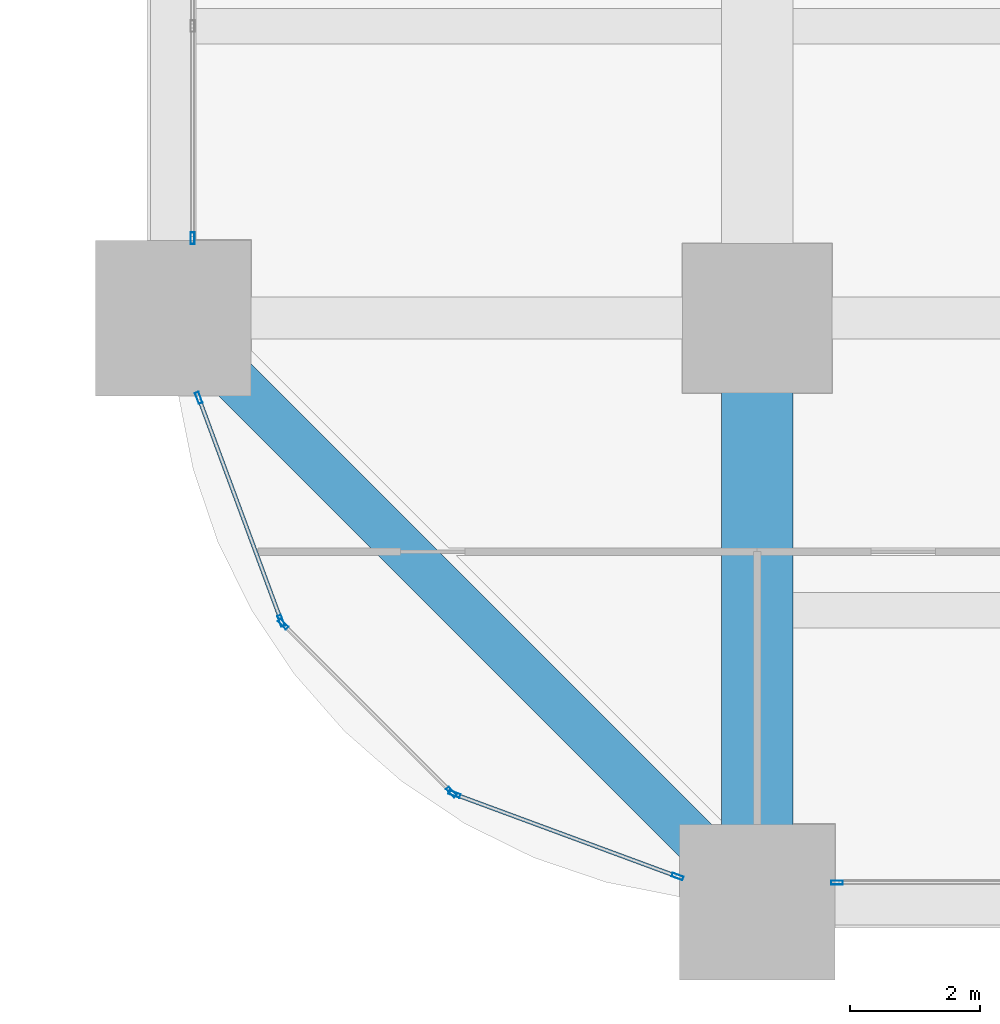
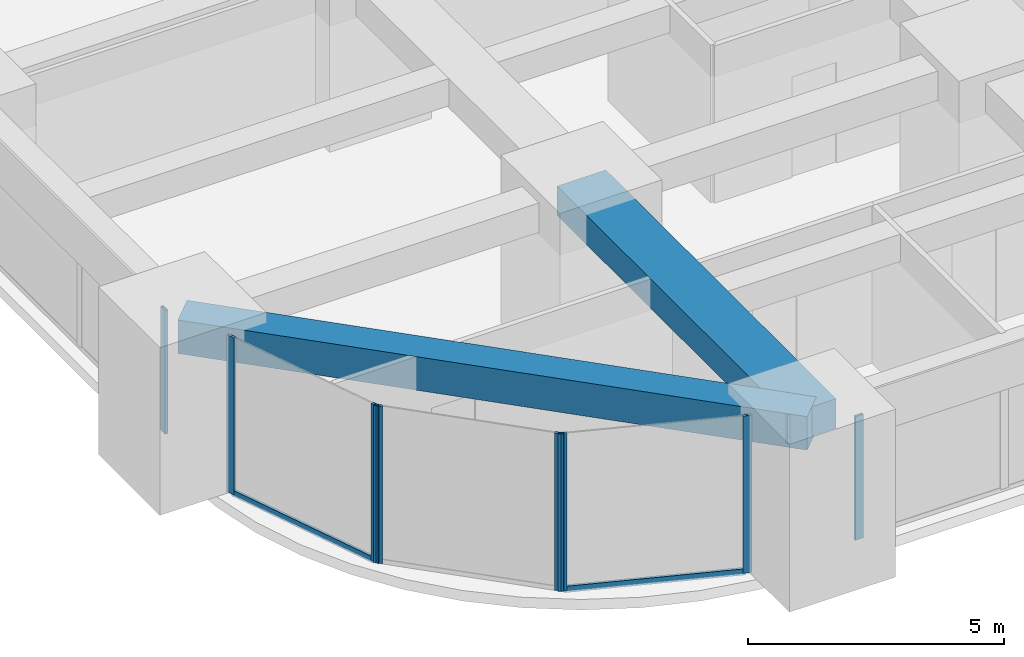
# One storey, part 2 of 39: 10 members, 2 beams, 5 elements without a shape of their own.
"""IFC4 building model written with IfcOpenShell, lengths in metres."""

import ifcopenshell
import ifcopenshell.guid

model = None  # the IFC model being written
_history = None  # IfcOwnerHistory: only IFC2X3 demands one
_inside = {}  # id of a spatial element -> (the spatial element, [elements in it])
_under = {}  # id of a project, library or spatial element -> (it, [spatial elements below it])
_declared = {}  # id of a project -> (the project, [libraries it declares])
_typed = {}  # id of a type object -> (the type object, [elements of that type])
_made_of = {}  # id of a material, layer set ... -> (it, [elements and type objects made of it])


def new_model(schema):
    """Start an empty IFC model of exactly this schema.

    Asked for "IFC4X3", IfcOpenShell would pick the latest addendum, in which some entities
    have other attributes; the version numbers below select the first issue.
    IFC2X3 requires an IfcOwnerHistory on every rooted entity: one is made here for all.
    """
    global model, _history
    if schema == "IFC4X3":
        model = ifcopenshell.file(schema_version=(4, 3, 0, 0))
    else:
        model = ifcopenshell.file(schema=schema)
    _inside.clear()
    _under.clear()
    _declared.clear()
    _typed.clear()
    _made_of.clear()
    _history = None
    if model.schema == "IFC2X3":
        org = make("IfcOrganization", Name="unknown")
        user = make(
            "IfcPersonAndOrganization",
            ThePerson=make("IfcPerson", FamilyName="unknown"),
            TheOrganization=org,
        )
        app = make(
            "IfcApplication",
            ApplicationDeveloper=org,
            Version="unknown",
            ApplicationFullName="unknown",
            ApplicationIdentifier="unknown",
        )
        _history = make(
            "IfcOwnerHistory",
            OwningUser=user,
            OwningApplication=app,
            ChangeAction="ADDED",
            CreationDate=0,
        )
    return model


def make(cls, **values):
    """One entity of the class cls with the attributes given. An attribute that is None is left unset."""
    return model.create_entity(
        cls, **{name: value for name, value in values.items() if value is not None}
    )


def rooted(cls, **values):
    """An entity with a GlobalId (a new one), such as an element, a storey or a relation."""
    return make(cls, GlobalId=ifcopenshell.guid.new(), OwnerHistory=_history, **values)


def si_unit(unit_type, name, prefix=None):
    """IfcSIUnit, for example si_unit("LENGTHUNIT", "METRE", prefix="MILLI")."""
    return make("IfcSIUnit", UnitType=unit_type, Prefix=prefix, Name=name)


def assignment(units):
    """IfcUnitAssignment: the units of a project."""
    return None if units is None else make("IfcUnitAssignment", Units=units)


def point(xyz):
    """IfcCartesianPoint."""
    return None if xyz is None else make("IfcCartesianPoint", Coordinates=xyz)


def direction(xyz):
    """IfcDirection."""
    return None if xyz is None else make("IfcDirection", DirectionRatios=xyz)


def frame(location, z_axis=None, x_axis=None):
    """IfcAxis2Placement3D, a coordinate frame: its origin and axes. An axis left out is left unset."""
    return make(
        "IfcAxis2Placement3D",
        Location=point(location),
        Axis=direction(z_axis),
        RefDirection=direction(x_axis),
    )


def frame_2d(location, x_axis=None):
    """IfcAxis2Placement2D, a coordinate frame in the plane: its origin and x axis."""
    return make(
        "IfcAxis2Placement2D", Location=point(location), RefDirection=direction(x_axis)
    )


def origin():
    """The frame at (0, 0, 0) with its axes left unset."""
    return frame((0.0, 0.0, 0.0))


def origin_2d():
    """The frame at (0, 0) in the plane with its x axis left unset."""
    return frame_2d((0.0, 0.0))


def place(relative_to, where):
    """IfcLocalPlacement: puts the frame where relative to a parent placement (None: the world)."""
    return make(
        "IfcLocalPlacement", PlacementRelTo=relative_to, RelativePlacement=where
    )


def context(
    kind, dimensions, precision=None, world=None, true_north=None, identifier=None
):
    """IfcGeometricRepresentationContext, for example the 3D "Model" context."""
    return make(
        "IfcGeometricRepresentationContext",
        ContextIdentifier=identifier,
        ContextType=kind,
        CoordinateSpaceDimension=dimensions,
        Precision=precision,
        WorldCoordinateSystem=world,
        TrueNorth=true_north,
    )


def subcontext(parent, identifier, kind, view, scale=None):
    """IfcGeometricRepresentationSubContext, for example "Body" below "Model"."""
    return make(
        "IfcGeometricRepresentationSubContext",
        ContextIdentifier=identifier,
        ContextType=kind,
        ParentContext=parent,
        TargetScale=scale,
        TargetView=view,
    )


def project(units=None, contexts=None):
    """IfcProject with its units and contexts."""
    return rooted(
        "IfcProject",
        Name="project",
        RepresentationContexts=contexts,
        UnitsInContext=assignment(units),
    )


def spatial(cls, under=None, at=None, **own):
    """A site, building, storey or space (cls), placed at a placement, below another one or the project."""
    s = rooted(cls, ObjectPlacement=at, **own)
    if under is not None:
        _under.setdefault(under.id(), (under, []))[1].append(s)
    return s


def profile(cls, at=None, kind="AREA", **sizes):
    """A parametric profile (cls). Its sizes go by their IFC names, for example OverallWidth=200.0."""
    return make(cls, ProfileType=kind, Position=at, **sizes)


def rectangle(**sizes):
    """IfcRectangleProfileDef."""
    return profile("IfcRectangleProfileDef", **sizes)


def hollow_rectangle(**sizes):
    """IfcRectangleHollowProfileDef."""
    return profile("IfcRectangleHollowProfileDef", **sizes)


def extrude(swept, where, along, depth):
    """IfcExtrudedAreaSolid: the profile swept, set in the frame where, extruded along a direction by depth."""
    return make(
        "IfcExtrudedAreaSolid",
        SweptArea=swept,
        Position=where,
        ExtrudedDirection=direction(along),
        Depth=depth,
    )


def shape(context_of_items, identifier, shape_type, items):
    """IfcShapeRepresentation: the items that make up one representation, for example the "Body"."""
    return make(
        "IfcShapeRepresentation",
        ContextOfItems=context_of_items,
        RepresentationIdentifier=identifier,
        RepresentationType=shape_type,
        Items=items,
    )


def material(Name=None, Category=None):
    """IfcMaterial."""
    return make("IfcMaterial", Name=Name, Category=Category)


def material_profile(
    of_material, cross_section, Name=None, Category=None, Priority=None
):
    """IfcMaterialProfile: a cross section and its material."""
    return make(
        "IfcMaterialProfile",
        Name=Name,
        Material=of_material,
        Profile=cross_section,
        Priority=Priority,
        Category=Category,
    )


def profile_set(profiles, Name=None, composite=None):
    """IfcMaterialProfileSet."""
    return make(
        "IfcMaterialProfileSet",
        Name=Name,
        MaterialProfiles=profiles,
        CompositeProfile=composite,
    )


def made_of(thing, what):
    """Note that an element or type object is made of a material, layer set ...; save() writes the relation."""
    if what is not None:
        _made_of.setdefault(what.id(), (what, []))[1].append(thing)
    return thing


def type_object(cls, material=None, **own):
    """A type object (cls), such as IfcWallType, which elements share."""
    return made_of(rooted(cls, **own), material)


def element(
    cls,
    number,
    at=None,
    inside=None,
    cuts=None,
    type_object=None,
    material=None,
    context=None,
    identifier="Body",
    shape_type=None,
    held_by="IfcProductDefinitionShape",
    body=None,
    shapes=None,
    **own,
):
    """One element of the class cls, such as IfcWall. Its Tag is "e" and its number.

    at: its placement. inside: the storey or other place that contains it. cuts: it is an
    opening in that element (IfcRelVoidsElement). A single representation is given by context,
    identifier, shape_type and body (its items); several are given by shapes. held_by: the class
    of the entity that holds the representations. save() writes the other relations.
    """
    e = rooted(cls, Tag="e%d" % number, ObjectPlacement=at, **own)
    if body is not None:
        shapes = [shape(context, identifier, shape_type, body)]
    if shapes is not None:
        e.Representation = make(held_by, Representations=shapes)
    if inside is not None:
        _inside.setdefault(inside.id(), (inside, []))[1].append(e)
    if cuts is not None:
        rooted(
            "IfcRelVoidsElement", RelatingBuildingElement=cuts, RelatedOpeningElement=e
        )
    if type_object is not None:
        _typed.setdefault(type_object.id(), (type_object, []))[1].append(e)
    return made_of(e, material)


def aggregate(whole, parts):
    """IfcRelAggregates: a whole, such as a stair, and the parts it consists of."""
    return rooted("IfcRelAggregates", RelatingObject=whole, RelatedObjects=parts)


def save(model, path):
    """Write the relations noted so far, then the file.

    IfcRelAggregates (storeys below a building ...), IfcRelContainedInSpatialStructure (elements
    in a storey), IfcRelDefinesByType, IfcRelAssociatesMaterial and IfcRelDeclares: one each for
    every whole, place, type object, material and project.
    """
    for whole, parts in _under.values():
        aggregate(whole, parts)
    for where, things in _inside.values():
        rooted(
            "IfcRelContainedInSpatialStructure",
            RelatedElements=things,
            RelatingStructure=where,
        )
    for kind, things in _typed.values():
        rooted("IfcRelDefinesByType", RelatedObjects=things, RelatingType=kind)
    for what, things in _made_of.values():
        rooted("IfcRelAssociatesMaterial", RelatedObjects=things, RelatingMaterial=what)
    for by, libraries in _declared.values():
        rooted("IfcRelDeclares", RelatingContext=by, RelatedDefinitions=libraries)
    model.write(path)


model = new_model("IFC4")

# Units and contexts
model_context = context("Model", 3, precision=1e-05, world=origin(), true_north=direction((0.0, 1.0)))
body_context = subcontext(model_context, "Body", "Model", "MODEL_VIEW")
ifc_project = project(units=[si_unit("LENGTHUNIT", "METRE"), si_unit("AREAUNIT", "SQUARE_METRE"), si_unit("VOLUMEUNIT", "CUBIC_METRE"), si_unit("PLANEANGLEUNIT", "RADIAN"), si_unit("MASSUNIT", "GRAM", prefix="KILO")], contexts=[model_context])

# Site, building, storey
site_placement = place(None, origin())
site = spatial("IfcSite", under=ifc_project, at=site_placement, CompositionType="ELEMENT")
building_placement = place(site_placement, origin())
building = spatial("IfcBuilding", under=site, at=building_placement, Name="Zorevar Civic Tower", CompositionType="ELEMENT")
storey_placement = place(building_placement, frame((0.0, 0.0, 19.800048828125)))
storey = spatial("IfcBuildingStorey", under=building, at=storey_placement, Name="L04", CompositionType="ELEMENT", Elevation=19.800048828125)

# Beam
ifc_material_1 = material(Name="Concrete C50/60", Category="concrete")
ifc_material_profile_1 = material_profile(ifc_material_1, rectangle(XDim=1.10009765625, YDim=0.699951171875, at=origin_2d()), Name="RC 1100x700")
ifc_profile_set_1 = profile_set([ifc_material_profile_1], Name="Concrete C50/60")
beam_type_1 = type_object("IfcBeamType", Name="Beam RC 1100x700", PredefinedType="BEAM", material=ifc_profile_set_1)
beam_1_placement = place(storey_placement, frame((9.0, 0.0, 3.39990234375), z_axis=(0.0, 1.0, 0.0), x_axis=(-1.0, 0.0, 0.0)))
element("IfcBeam", 1, at=beam_1_placement, inside=storey, type_object=beam_type_1, Name="Girder L05", PredefinedType="BEAM", context=body_context, shape_type="SweptSolid", body=[
    extrude(rectangle(XDim=1.10009765625, YDim=0.699951171875, at=origin_2d()), origin(), (0.0, 0.0, 1.0), 9.0),
])

# Curtain wall, member
ifc_material_2 = material(Name="Dark grey solar-control glass in black aluminium frame", Category="aluminium")
curtain_wall_type = type_object("IfcCurtainWallType", Name="Curtain wall CW2 low zone", PredefinedType="NOTDEFINED", material=ifc_material_2)
curtain_wall_1_placement = place(storey_placement, origin())
curtain_wall_1 = element("IfcCurtainWall", 2, at=curtain_wall_1_placement, inside=storey, type_object=curtain_wall_type, Name="CW2 L04", PredefinedType="NOTDEFINED")
ifc_material_3 = material(Name="Aluminium, black anodised", Category="aluminium")
ifc_material_profile_2 = material_profile(ifc_material_3, hollow_rectangle(XDim=0.06005859375, YDim=0.179931640625, WallThickness=0.00390625, at=origin_2d()), Name="AL 180x60x4")
ifc_profile_set_2 = profile_set([ifc_material_profile_2], Name="Aluminium, black anodised")
member_type_1 = type_object("IfcMemberType", Name="CW2 mullion AL 180x60x4", PredefinedType="MULLION", material=ifc_profile_set_2)
member_1_placement = place(storey_placement, frame((10.22998046875, 0.300048828125, 0.0), z_axis=(0.0, 0.0, 1.0), x_axis=(0.0, 1.0, 0.0)))
member_1 = element("IfcMember", 3, at=member_1_placement, type_object=member_type_1, Name="CW2 mullion 1", PredefinedType="MULLION", context=body_context, shape_type="SweptSolid", body=[
    extrude(hollow_rectangle(XDim=0.06005859375, YDim=0.179931640625, WallThickness=0.00390625, at=origin_2d()), origin(), (0.0, 0.0, 1.0), 2.949951171875),
])
aggregate(curtain_wall_1, [member_1])

curtain_wall_2_placement = place(storey_placement, origin())
curtain_wall_2 = element("IfcCurtainWall", 4, at=curtain_wall_2_placement, inside=storey, type_object=curtain_wall_type, Name="CW2 L04", PredefinedType="NOTDEFINED")
member_2_placement = place(storey_placement, frame((0.300048828125, 10.22998046875, 0.0), z_axis=(0.0, 0.0, 1.0), x_axis=(-1.0, 0.0, 0.0)))
member_2 = element("IfcMember", 5, at=member_2_placement, type_object=member_type_1, Name="CW2 mullion 1", PredefinedType="MULLION", context=body_context, shape_type="SweptSolid", body=[
    extrude(hollow_rectangle(XDim=0.06005859375, YDim=0.179931640625, WallThickness=0.00390625, at=origin_2d()), origin(), (0.0, 0.0, 1.0), 2.949951171875),
])
aggregate(curtain_wall_2, [member_2])

# Curtain wall, members
curtain_wall_3_placement = place(storey_placement, origin())
curtain_wall_3 = element("IfcCurtainWall", 6, at=curtain_wall_3_placement, inside=storey, type_object=curtain_wall_type, Name="CW2 L04", PredefinedType="NOTDEFINED")
member_3_placement = place(storey_placement, frame((0.3935546875, 7.77197265625, 0.0), z_axis=(0.0, 0.0, 1.0), x_axis=(0.937974588163, 0.346704012033, 0.0)))
member_3 = element("IfcMember", 7, at=member_3_placement, type_object=member_type_1, Name="CW2 mullion 1", PredefinedType="MULLION", context=body_context, shape_type="SweptSolid", body=[
    extrude(hollow_rectangle(XDim=0.06005859375, YDim=0.179931640625, WallThickness=0.00390625, at=origin_2d()), origin(), (0.0, 0.0, 1.0), 3.75),
])
member_4_placement = place(storey_placement, frame((1.663818359375, 4.33544921875, 0.0), z_axis=(0.0, 0.0, 1.0), x_axis=(0.937974588163, 0.346704012033, 0.0)))
member_4 = element("IfcMember", 8, at=member_4_placement, type_object=member_type_1, Name="CW2 mullion 2", PredefinedType="MULLION", context=body_context, shape_type="SweptSolid", body=[
    extrude(hollow_rectangle(XDim=0.06005859375, YDim=0.179931640625, WallThickness=0.00390625, at=origin_2d()), origin(), (0.0, 0.0, 1.0), 3.75),
])

curtain_wall_4_placement = place(storey_placement, origin())
curtain_wall_4 = element("IfcCurtainWall", 9, at=curtain_wall_4_placement, inside=storey, type_object=curtain_wall_type, Name="CW2 L04", PredefinedType="NOTDEFINED")
member_5_placement = place(storey_placement, frame((1.6953125, 4.2861328125, 0.0), z_axis=(0.0, 0.0, 1.0), x_axis=(0.707106781187, 0.707106781187, 0.0)))
member_5 = element("IfcMember", 10, at=member_5_placement, type_object=member_type_1, Name="CW2 mullion 1", PredefinedType="MULLION", context=body_context, shape_type="SweptSolid", body=[
    extrude(hollow_rectangle(XDim=0.06005859375, YDim=0.179931640625, WallThickness=0.00390625, at=origin_2d()), origin(), (0.0, 0.0, 1.0), 3.75),
])
member_6_placement = place(storey_placement, frame((4.2861328125, 1.6953125, 0.0), z_axis=(0.0, 0.0, 1.0), x_axis=(0.707106781187, 0.707106781187, 0.0)))
member_6 = element("IfcMember", 11, at=member_6_placement, type_object=member_type_1, Name="CW2 mullion 2", PredefinedType="MULLION", context=body_context, shape_type="SweptSolid", body=[
    extrude(hollow_rectangle(XDim=0.06005859375, YDim=0.179931640625, WallThickness=0.00390625, at=origin_2d()), origin(), (0.0, 0.0, 1.0), 3.75),
])
aggregate(curtain_wall_4, [member_5, member_6])

curtain_wall_5_placement = place(storey_placement, origin())
curtain_wall_5 = element("IfcCurtainWall", 12, at=curtain_wall_5_placement, inside=storey, type_object=curtain_wall_type, Name="CW2 L04", PredefinedType="NOTDEFINED")
member_7_placement = place(storey_placement, frame((4.33544921875, 1.663818359375, 0.0), z_axis=(0.0, 0.0, 1.0), x_axis=(0.346704012033, 0.937974588163, 0.0)))
member_7 = element("IfcMember", 13, at=member_7_placement, type_object=member_type_1, Name="CW2 mullion 1", PredefinedType="MULLION", context=body_context, shape_type="SweptSolid", body=[
    extrude(hollow_rectangle(XDim=0.06005859375, YDim=0.179931640625, WallThickness=0.00390625, at=origin_2d()), origin(), (0.0, 0.0, 1.0), 3.75),
])
member_8_placement = place(storey_placement, frame((7.77197265625, 0.3935546875, 0.0), z_axis=(0.0, 0.0, 1.0), x_axis=(0.346704012033, 0.937974588163, 0.0)))
member_8 = element("IfcMember", 14, at=member_8_placement, type_object=member_type_1, Name="CW2 mullion 2", PredefinedType="MULLION", context=body_context, shape_type="SweptSolid", body=[
    extrude(hollow_rectangle(XDim=0.06005859375, YDim=0.179931640625, WallThickness=0.00390625, at=origin_2d()), origin(), (0.0, 0.0, 1.0), 3.75),
])

# Member
ifc_material_4 = material(Name="Aluminium, black anodised", Category="aluminium")
ifc_material_profile_3 = material_profile(ifc_material_4, hollow_rectangle(XDim=0.06005859375, YDim=0.14990234375, WallThickness=0.00390625, at=origin_2d()), Name="AL 150x60x4")
ifc_profile_set_3 = profile_set([ifc_material_profile_3], Name="Aluminium, black anodised")
member_type_2 = type_object("IfcMemberType", Name="CW2 transom AL 150x60x4", PredefinedType="USERDEFINED", material=ifc_profile_set_3)
member_9_placement = place(storey_placement, frame((0.404052734375, 7.74365234375, 0.030029296875), z_axis=(0.346672169799, -0.93798635741, 0.0), x_axis=(0.93798635741, 0.346672169799, 0.0)))
member_9 = element("IfcMember", 15, at=member_9_placement, type_object=member_type_2, Name="CW2 sill transom", ObjectType="TRANSOM", PredefinedType="USERDEFINED", context=body_context, shape_type="SweptSolid", body=[
    extrude(hollow_rectangle(XDim=0.06005859375, YDim=0.14990234375, WallThickness=0.00390625, at=origin_2d()), origin(), (0.0, 0.0, 1.0), 3.603515625),
])

aggregate(curtain_wall_3, [member_3, member_4, member_9])

member_10_placement = place(storey_placement, frame((4.363525390625, 1.6533203125, 0.030029296875), z_axis=(0.93798635741, -0.346672169799, 0.0), x_axis=(0.346672169799, 0.93798635741, 0.0)))
member_10 = element("IfcMember", 16, at=member_10_placement, type_object=member_type_2, Name="CW2 sill transom", ObjectType="TRANSOM", PredefinedType="USERDEFINED", context=body_context, shape_type="SweptSolid", body=[
    extrude(hollow_rectangle(XDim=0.06005859375, YDim=0.14990234375, WallThickness=0.00390625, at=origin_2d()), origin(), (0.0, 0.0, 1.0), 3.603515625),
])

aggregate(curtain_wall_5, [member_7, member_8, member_10])

# Beam
ifc_material_5 = material(Name="Concrete C50/60", Category="concrete")
ifc_material_profile_4 = material_profile(ifc_material_5, rectangle(XDim=0.699951171875, YDim=0.800048828125, at=origin_2d()), Name="RC 700x800")
ifc_profile_set_4 = profile_set([ifc_material_profile_4], Name="Concrete C50/60")
beam_type_2 = type_object("IfcBeamType", Name="Edge beam RC 700x800", PredefinedType="SPANDREL", material=ifc_profile_set_4)
beam_2_placement = place(storey_placement, frame((0.0, 9.0, 3.349853515625), z_axis=(0.707106781187, -0.707106781187, 0.0), x_axis=(0.707106781187, 0.707106781187, 0.0)))
element("IfcBeam", 17, at=beam_2_placement, inside=storey, type_object=beam_type_2, Name="Corner edge beam L05", PredefinedType="SPANDREL", context=body_context, shape_type="SweptSolid", body=[
    extrude(rectangle(XDim=0.699951171875, YDim=0.800048828125, at=origin_2d()), origin(), (0.0, 0.0, 1.0), 12.72802734375),
])

save(model, "model.ifc")
